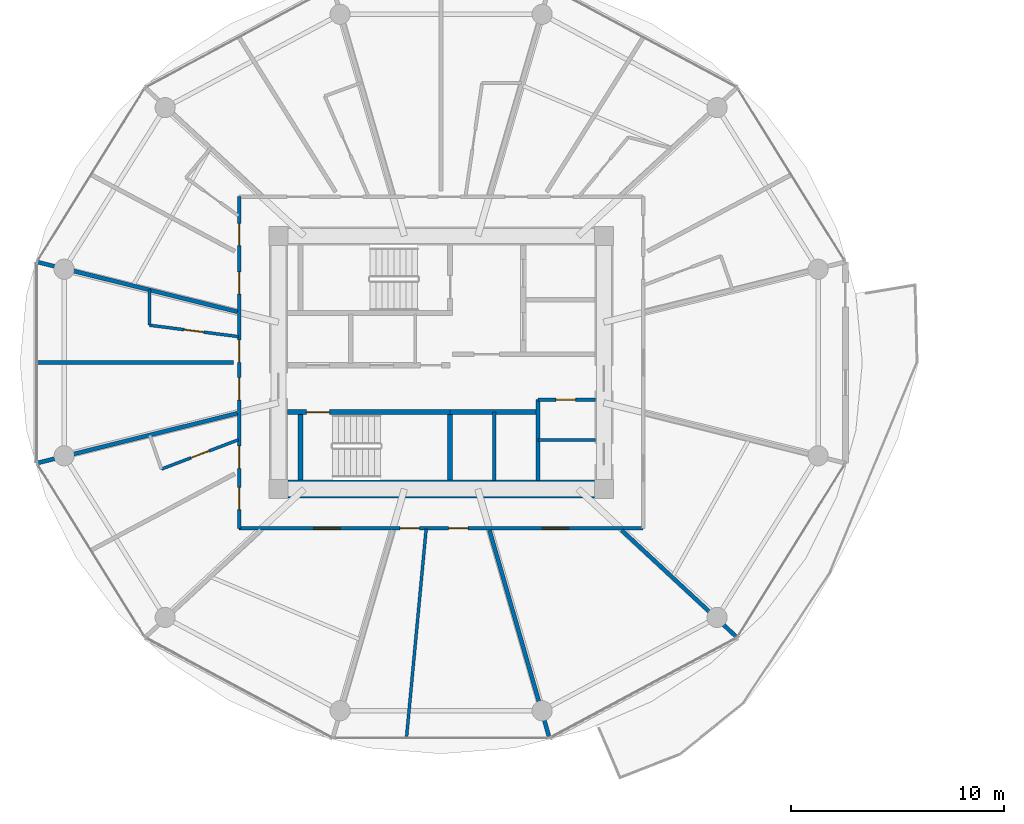
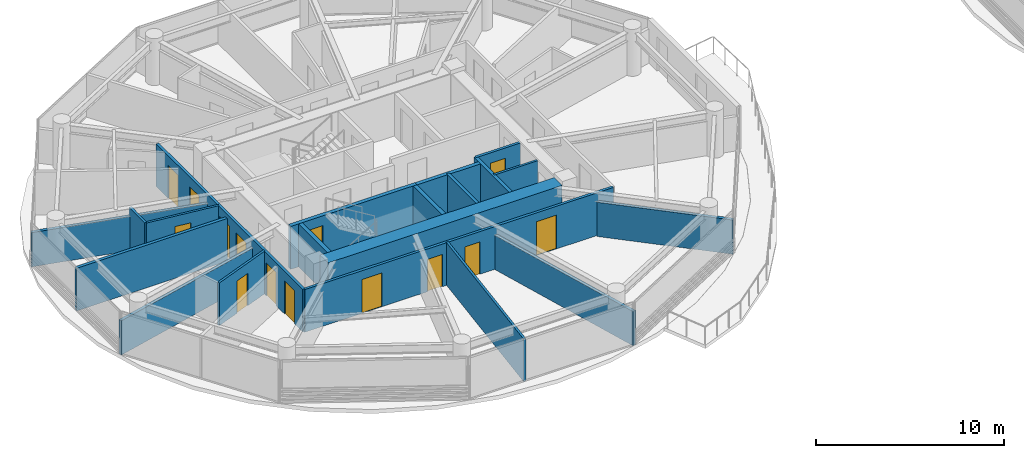
# One storey, part 15 of 27: 20 walls, 14 doors, 14 openings.
"""IFC4 building model written with IfcOpenShell, lengths in metres."""

from ifc_helpers import new_model, si_unit, direction, frame, frame_2d, origin, place, context, subcontext, project, spatial, rectangle, extrude, source, transform, mapped, material, layer, layer_set, type_object, type_shapes, element, fill, save


model = new_model("IFC4")

# Units and contexts
model_context = context("Model", 3, precision=1e-05, world=origin(), true_north=direction((0.0, 1.0)))
body_context = subcontext(model_context, "Body", "Model", "MODEL_VIEW")
ifc_project = project(units=[si_unit("LENGTHUNIT", "METRE"), si_unit("AREAUNIT", "SQUARE_METRE"), si_unit("VOLUMEUNIT", "CUBIC_METRE"), si_unit("PLANEANGLEUNIT", "RADIAN"), si_unit("MASSUNIT", "GRAM", prefix="KILO")], contexts=[model_context])

# Site, building, storey
site_placement = place(None, origin())
site = spatial("IfcSite", under=ifc_project, at=site_placement, CompositionType="ELEMENT")
building_placement = place(site_placement, origin())
building = spatial("IfcBuilding", under=site, at=building_placement, Name="Norrkilde Senior Care Towers", CompositionType="ELEMENT")
storey_placement = place(building_placement, frame((0.0, 0.0, 58.199951171875)))
storey = spatial("IfcBuildingStorey", under=building, at=storey_placement, Name="L17", CompositionType="ELEMENT", Elevation=58.199951171875)

# Wall
ifc_material_1 = material(Name="Concrete C60/75", Category="concrete")
ifc_layer_1 = layer(ifc_material_1, 0.85009765625)
ifc_layer_set_1 = layer_set([ifc_layer_1], Name="Concrete C60/75")
wall_type_1 = type_object("IfcWallType", Name="Core Shear Wall Z1 850", PredefinedType="SHEAR", material=ifc_layer_set_1)
shared_shape_1 = source(origin(), body_context, "Body", "SweptSolid", [
    extrude(rectangle(XDim=14.39990234375, YDim=0.85009765625, at=frame_2d((7.199951171875, 0.0))), origin(), (0.0, 0.0, 1.0), 2.7900390625),
])
type_shapes(wall_type_1, [shared_shape_1])
wall_1_placement = place(storey_placement, frame((-20.800048828125, -5.949951171875, 0.0), z_axis=(0.0, 0.0, 1.0), x_axis=(-1.0, 0.0, 0.0)))
element("IfcWall", 1, at=wall_1_placement, inside=storey, type_object=wall_type_1, Name="L17 Core W South Shear Wall", PredefinedType="SHEAR", context=body_context, shape_type="MappedRepresentation", body=[
    mapped(shared_shape_1, transform((0.0, 0.0, 0.0), x_axis=(1.0, 0.0, 0.0), y_axis=(0.0, 1.0, 0.0), z_axis=(0.0, 0.0, 1.0), scale=1.0)),
])

# Wall, opening, door
ifc_material_2 = material(Name="Concrete C45/55", Category="concrete")
ifc_layer_2 = layer(ifc_material_2, 0.239990234375)
ifc_layer_set_2 = layer_set([ifc_layer_2], Name="Concrete C45/55")
wall_type_2 = type_object("IfcWallType", Name="Shaft and Stair Enclosure Wall 240", PredefinedType="PARTITIONING", material=ifc_layer_set_2)
shared_shape_2 = source(origin(), body_context, "Body", "SweptSolid", [
    extrude(rectangle(XDim=7.76513671875, YDim=0.239990234375, at=frame_2d((3.882568359375, 0.0))), origin(), (0.0, 0.0, 1.0), 2.7900390625),
])
wall_2_placement = place(storey_placement, frame((-35.22509765625, -2.330078125, 0.0), z_axis=(0.0, 0.0, 1.0), x_axis=(1.0, 0.0, 0.0)))
wall_2 = element("IfcWall", 2, at=wall_2_placement, inside=storey, type_object=wall_type_2, Name="WL-INT-L17-W-ST2N", PredefinedType="PARTITIONING", context=body_context, shape_type="MappedRepresentation", body=[
    mapped(shared_shape_2, transform((0.0, 0.0, 0.0), x_axis=(1.0, 0.0, 0.0), y_axis=(0.0, 1.0, 0.0), z_axis=(0.0, 0.0, 1.0), scale=1.0)),
])
opening_1_placement = place(wall_2_placement, frame((0.885009765625, 0.0, 0.0)))
opening_1 = element("IfcOpeningElement", 3, at=opening_1_placement, cuts=wall_2, Name="Opening D-03", PredefinedType="OPENING", context=body_context, shape_type="SweptSolid", body=[
    extrude(rectangle(XDim=1.10009765625, YDim=2.14990234375, at=frame_2d((0.550048828125, 1.074951171875))), frame((0.0, 0.1298828125, 0.0), z_axis=(0.0, -1.0, 0.0), x_axis=(1.0, 0.0, 0.0)), (0.0, 0.0, 1.0), 0.260009765625),
])
ifc_material_3 = material(Name="Galvanised Painted Steel", Category="steel")
door_type_1 = type_object("IfcDoorType", Name="Stairwell Protected Fire Door 1100x2150", OperationType="NOTDEFINED", PredefinedType="DOOR", material=ifc_material_3)
shared_shape_3 = source(origin(), body_context, "Body", "SweptSolid", [
    extrude(rectangle(XDim=1.10009765625, YDim=2.14990234375, at=frame_2d((0.550048828125, 1.074951171875))), frame((0.0, 0.02490234375, 0.0), z_axis=(0.0, -1.0, 0.0), x_axis=(1.0, 0.0, 0.0)), (0.0, 0.0, 1.0), 0.050048828125),
])
type_shapes(door_type_1, [shared_shape_3])
door_1_placement = place(opening_1_placement, frame((1.10009765625, 0.0, 0.0), z_axis=(0.0, 0.0, 1.0), x_axis=(-1.0, 0.0, 0.0)))
door_1 = element("IfcDoor", 4, at=door_1_placement, inside=storey, type_object=door_type_1, Name="L17 Stair W2 Fire Door", OperationType="SINGLE_SWING_RIGHT", OverallHeight=2.14990234375, OverallWidth=1.10009765625, PredefinedType="DOOR", context=body_context, shape_type="MappedRepresentation", body=[
    mapped(shared_shape_3, transform((0.0, 0.0, 0.0), x_axis=(1.0, 0.0, 0.0), y_axis=(0.0, 1.0, 0.0), z_axis=(0.0, 0.0, 1.0), scale=1.0)),
])
fill(opening_1, door_1)

# Walls
shared_shape_4 = source(origin(), body_context, "Body", "SweptSolid", [
    extrude(rectangle(XDim=3.074951171875, YDim=0.239990234375, at=frame_2d((1.53759765625, 0.0))), origin(), (0.0, 0.0, 1.0), 2.7900390625),
])
type_shapes(wall_type_2, [shared_shape_2, shared_shape_4])
for number, where, z_axis, x_axis, name in (
    (5, (-34.6201171875, -5.52490234375, 0.0), (0.0, 0.0, 1.0), (0.0, 1.0, 0.0), "WL-INT-L17-W-ST2W"),
    (6, (-27.580078125, -5.52490234375, 0.0), (0.0, 0.0, 1.0), (0.0, 1.0, 0.0), "WL-INT-L17-W-ST2E"),
):
    element("IfcWall", number, at=place(storey_placement, frame(where, z_axis=z_axis, x_axis=x_axis)), inside=storey, type_object=wall_type_2, Name=name, PredefinedType="PARTITIONING", context=body_context, shape_type="MappedRepresentation", body=[
        mapped(shared_shape_4, transform((0.0, 0.0, 0.0), x_axis=(1.0, 0.0, 0.0), y_axis=(0.0, 1.0, 0.0), z_axis=(0.0, 0.0, 1.0), scale=1.0)),
    ])
ifc_layer_3 = layer(ifc_material_2, 0.199951171875)
ifc_layer_set_3 = layer_set([ifc_layer_3], Name="Concrete C45/55")
wall_type_3 = type_object("IfcWallType", Name="Shaft Division and Plant Partition 200", PredefinedType="PARTITIONING", material=ifc_layer_set_3)
shared_shape_5 = source(origin(), body_context, "Body", "SweptSolid", [
    extrude(rectangle(XDim=3.800048828125, YDim=0.199951171875, at=frame_2d((1.89990234375, 0.0))), origin(), (0.0, 0.0, 1.0), 2.775146484375),
])
type_shapes(wall_type_3, [shared_shape_5])
wall_3_placement = place(storey_placement, frame((-23.449951171875, -5.550048828125, 0.0), z_axis=(0.0, 0.0, 1.0), x_axis=(0.0, 1.0, 0.0)))
element("IfcWall", 7, at=wall_3_placement, inside=storey, type_object=wall_type_3, Name="WL-INT-L17-W-PKBE", PredefinedType="PARTITIONING", context=body_context, shape_type="MappedRepresentation", body=[
    mapped(shared_shape_5, transform((0.0, 0.0, 0.0), x_axis=(1.0, 0.0, 0.0), y_axis=(0.0, 1.0, 0.0), z_axis=(0.0, 0.0, 1.0), scale=1.0)),
])
ifc_layer_4 = layer(ifc_material_2, 0.239990234375)
ifc_layer_set_4 = layer_set([ifc_layer_4], Name="Concrete C45/55")
wall_type_4 = type_object("IfcWallType", Name="Lift and Plant Rated Enclosure Partition 240", PredefinedType="PARTITIONING", material=ifc_layer_set_4)
shared_shape_6 = source(origin(), body_context, "Body", "SweptSolid", [
    extrude(rectangle(XDim=4.130126953125, YDim=0.239990234375, at=frame_2d((2.06494140625, 0.0))), origin(), (0.0, 0.0, 1.0), 2.775146484375),
])
type_shapes(wall_type_4, [shared_shape_6])
wall_4_placement = place(storey_placement, frame((-27.580078125, -2.330078125, 0.0), z_axis=(0.0, 0.0, 1.0), x_axis=(1.0, 0.0, 0.0)))
element("IfcWall", 8, at=wall_4_placement, inside=storey, type_object=wall_type_4, Name="WL-INT-L17-W-PKBN", PredefinedType="PARTITIONING", context=body_context, shape_type="MappedRepresentation", body=[
    mapped(shared_shape_6, transform((0.0, 0.0, 0.0), x_axis=(1.0, 0.0, 0.0), y_axis=(0.0, 1.0, 0.0), z_axis=(0.0, 0.0, 1.0), scale=1.0)),
])
ifc_layer_5 = layer(ifc_material_2, 0.179931640625)
ifc_layer_set_5 = layer_set([ifc_layer_5], Name="Concrete C45/55")
wall_type_5 = type_object("IfcWallType", Name="Hoistway Division Rated Partition 180", PredefinedType="PARTITIONING", material=ifc_layer_set_5)
shared_shape_7 = source(origin(), body_context, "Body", "SweptSolid", [
    extrude(rectangle(XDim=3.219970703125, YDim=0.179931640625, at=frame_2d((1.60986328125, 0.0))), origin(), (0.0, 0.0, 1.0), 2.775146484375),
])
type_shapes(wall_type_5, [shared_shape_7])
wall_5_placement = place(storey_placement, frame((-25.5, -5.550048828125, 0.0), z_axis=(0.0, 0.0, 1.0), x_axis=(0.0, 1.0, 0.0)))
element("IfcWall", 9, at=wall_5_placement, inside=storey, type_object=wall_type_5, Name="WL-INT-L17-W-PL34", PredefinedType="PARTITIONING", context=body_context, shape_type="MappedRepresentation", body=[
    mapped(shared_shape_7, transform((0.0, 0.0, 0.0), x_axis=(1.0, 0.0, 0.0), y_axis=(0.0, 1.0, 0.0), z_axis=(0.0, 0.0, 1.0), scale=1.0)),
])

# Wall, opening, door
ifc_material_4 = material(Name="Gypsum Acoustic Board")
ifc_layer_6 = layer(ifc_material_4, 0.1650390625)
ifc_layer_set_6 = layer_set([ifc_layer_6], Name="Gypsum Acoustic Board")
wall_type_6 = type_object("IfcWallType", Name="Corridor Rated Partition 165", PredefinedType="PARTITIONING", material=ifc_layer_set_6)
shared_shape_8 = source(origin(), body_context, "Body", "SweptSolid", [
    extrude(rectangle(XDim=2.699951171875, YDim=0.1650390625, at=frame_2d((1.35009765625, 0.0))), origin(), (0.0, 0.0, 1.0), 2.775146484375),
])
wall_6_placement = place(storey_placement, frame((-23.449951171875, -1.75, 0.0), z_axis=(0.0, 0.0, 1.0), x_axis=(1.0, 0.0, 0.0)))
wall_6 = element("IfcWall", 10, at=wall_6_placement, inside=storey, type_object=wall_type_6, Name="WL-INT-L17-W-CSN", PredefinedType="PARTITIONING", context=body_context, shape_type="MappedRepresentation", body=[
    mapped(shared_shape_8, transform((0.0, 0.0, 0.0), x_axis=(1.0, 0.0, 0.0), y_axis=(0.0, 1.0, 0.0), z_axis=(0.0, 0.0, 1.0), scale=1.0)),
])
opening_2_placement = place(wall_6_placement, frame((0.85009765625, 0.0, 0.0)))
opening_2 = element("IfcOpeningElement", 11, at=opening_2_placement, cuts=wall_6, Name="Opening D-12", PredefinedType="OPENING", context=body_context, shape_type="SweptSolid", body=[
    extrude(rectangle(XDim=0.925048828125, YDim=2.10009765625, at=frame_2d((0.46240234375, 1.050048828125))), frame((0.0, 0.092529296875, 0.0), z_axis=(0.0, -1.0, 0.0), x_axis=(1.0, 0.0, 0.0)), (0.0, 0.0, 1.0), 0.18505859375),
])
door_type_2 = type_object("IfcDoorType", Name="Core Wet Room Rated Door 925x2100", OperationType="NOTDEFINED", PredefinedType="DOOR", material=ifc_material_3)
shared_shape_9 = source(origin(), body_context, "Body", "SweptSolid", [
    extrude(rectangle(XDim=0.925048828125, YDim=2.10009765625, at=frame_2d((0.46240234375, 1.050048828125))), frame((0.0, 0.02490234375, 0.0), z_axis=(0.0, -1.0, 0.0), x_axis=(1.0, 0.0, 0.0)), (0.0, 0.0, 1.0), 0.050048828125),
])
type_shapes(door_type_2, [shared_shape_9])
door_2_placement = place(opening_2_placement, origin())
door_2 = element("IfcDoor", 12, at=door_2_placement, inside=storey, type_object=door_type_2, Name="L17 Staff WC W Door", OperationType="SINGLE_SWING_LEFT", OverallHeight=2.10009765625, OverallWidth=0.925048828125, PredefinedType="DOOR", context=body_context, shape_type="MappedRepresentation", body=[
    mapped(shared_shape_9, transform((0.0, 0.0, 0.0), x_axis=(1.0, 0.0, 0.0), y_axis=(0.0, 1.0, 0.0), z_axis=(0.0, 0.0, 1.0), scale=1.0)),
])
fill(opening_2, door_2)

# Wall, openings, doors
shared_shape_10 = source(origin(), body_context, "Body", "SweptSolid", [
    extrude(rectangle(XDim=19.0, YDim=0.1650390625, at=frame_2d((9.5, 0.0))), origin(), (0.0, 0.0, 1.0), 2.775146484375),
])
wall_7_placement = place(storey_placement, frame((-18.5, -7.800048828125, 0.0), z_axis=(0.0, 0.0, 1.0), x_axis=(-1.0, 0.0, 0.0)))
wall_7 = element("IfcWall", 13, at=wall_7_placement, inside=storey, type_object=wall_type_6, Name="WL-INT-L17-W-CRW-S-0", PredefinedType="PARTITIONING", context=body_context, shape_type="MappedRepresentation", body=[
    mapped(shared_shape_10, transform((0.0, 0.0, 0.0), x_axis=(1.0, 0.0, 0.0), y_axis=(0.0, 1.0, 0.0), z_axis=(0.0, 0.0, 1.0), scale=1.0)),
])
opening_3_placement = place(wall_7_placement, frame((14.244384765625, 0.0, 0.0)))
opening_3 = element("IfcOpeningElement", 14, at=opening_3_placement, cuts=wall_7, Name="Opening D-05", PredefinedType="OPENING", context=body_context, shape_type="SweptSolid", body=[
    extrude(rectangle(XDim=1.25, YDim=2.199951171875, at=frame_2d((0.625, 1.10009765625))), frame((0.0, 0.092529296875, 0.0), z_axis=(0.0, -1.0, 0.0), x_axis=(1.0, 0.0, 0.0)), (0.0, 0.0, 1.0), 0.18505859375),
])
opening_4_placement = place(wall_7_placement, frame((10.523193359375, 0.0, 0.0)))
opening_4 = element("IfcOpeningElement", 15, at=opening_4_placement, cuts=wall_7, Name="Opening D-08", PredefinedType="OPENING", context=body_context, shape_type="SweptSolid", body=[
    extrude(rectangle(XDim=0.919921875, YDim=2.10009765625, at=frame_2d((0.4599609375, 1.050048828125))), frame((0.0, 0.092529296875, 0.0), z_axis=(0.0, -1.0, 0.0), x_axis=(1.0, 0.0, 0.0)), (0.0, 0.0, 1.0), 0.18505859375),
])
opening_5_placement = place(wall_7_placement, frame((8.2255859375, 0.0, 0.0)))
opening_5 = element("IfcOpeningElement", 16, at=opening_5_placement, cuts=wall_7, Name="Opening D-08", PredefinedType="OPENING", context=body_context, shape_type="SweptSolid", body=[
    extrude(rectangle(XDim=0.919921875, YDim=2.10009765625, at=frame_2d((0.4599609375, 1.050048828125))), frame((0.0, 0.092529296875, 0.0), z_axis=(0.0, -1.0, 0.0), x_axis=(1.0, 0.0, 0.0)), (0.0, 0.0, 1.0), 0.18505859375),
])
opening_6_placement = place(wall_7_placement, frame((3.505615234375, 0.0, 0.0)))
opening_6 = element("IfcOpeningElement", 17, at=opening_6_placement, cuts=wall_7, Name="Opening D-05", PredefinedType="OPENING", context=body_context, shape_type="SweptSolid", body=[
    extrude(rectangle(XDim=1.25, YDim=2.199951171875, at=frame_2d((0.625, 1.10009765625))), frame((0.0, 0.092529296875, 0.0), z_axis=(0.0, -1.0, 0.0), x_axis=(1.0, 0.0, 0.0)), (0.0, 0.0, 1.0), 0.18505859375),
])
ifc_material_5 = material(Name="Nordic Ash Timber", Category="wood")
door_type_3 = type_object("IfcDoorType", Name="Care Bedroom Bariatric Door 1250x2200", OperationType="NOTDEFINED", PredefinedType="DOOR", material=ifc_material_5)
shared_shape_11 = source(origin(), body_context, "Body", "SweptSolid", [
    extrude(rectangle(XDim=1.25, YDim=2.199951171875, at=frame_2d((0.625, 1.10009765625))), frame((0.0, 0.02490234375, 0.0), z_axis=(0.0, -1.0, 0.0), x_axis=(1.0, 0.0, 0.0)), (0.0, 0.0, 1.0), 0.050048828125),
])
type_shapes(door_type_3, [shared_shape_11])
door_3_placement = place(opening_3_placement, frame((1.25, 0.0, 0.0), z_axis=(0.0, 0.0, 1.0), x_axis=(-1.0, 0.0, 0.0)))
door_3 = element("IfcDoor", 18, at=door_3_placement, inside=storey, type_object=door_type_3, Name="L17 Geriatric Rehabilitation Clinic Door", OperationType="SINGLE_SWING_RIGHT", OverallHeight=2.199951171875, OverallWidth=1.25, PredefinedType="DOOR", context=body_context, shape_type="MappedRepresentation", body=[
    mapped(shared_shape_11, transform((0.0, 0.0, 0.0), x_axis=(1.0, 0.0, 0.0), y_axis=(0.0, 1.0, 0.0), z_axis=(0.0, 0.0, 1.0), scale=1.0)),
])
fill(opening_3, door_3)
door_4_placement = place(opening_6_placement, frame((1.25, 0.0, 0.0), z_axis=(0.0, 0.0, 1.0), x_axis=(-1.0, 0.0, 0.0)))
door_4 = element("IfcDoor", 19, at=door_4_placement, inside=storey, type_object=door_type_3, Name="L17 Resident Therapeutic Day Lounge Door", OperationType="SINGLE_SWING_RIGHT", OverallHeight=2.199951171875, OverallWidth=1.25, PredefinedType="DOOR", context=body_context, shape_type="MappedRepresentation", body=[
    mapped(shared_shape_11, transform((0.0, 0.0, 0.0), x_axis=(1.0, 0.0, 0.0), y_axis=(0.0, 1.0, 0.0), z_axis=(0.0, 0.0, 1.0), scale=1.0)),
])
fill(opening_6, door_4)
door_type_4 = type_object("IfcDoorType", Name="Accessible Wet Room Door 920x2100", OperationType="NOTDEFINED", PredefinedType="DOOR", material=ifc_material_5)
shared_shape_12 = source(origin(), body_context, "Body", "SweptSolid", [
    extrude(rectangle(XDim=0.919921875, YDim=2.10009765625, at=frame_2d((0.4599609375, 1.050048828125))), frame((0.0, 0.02490234375, 0.0), z_axis=(0.0, -1.0, 0.0), x_axis=(1.0, 0.0, 0.0)), (0.0, 0.0, 1.0), 0.050048828125),
])
type_shapes(door_type_4, [shared_shape_12])
door_5_placement = place(opening_4_placement, frame((0.919921875, 0.0, 0.0), z_axis=(0.0, 0.0, 1.0), x_axis=(-1.0, 0.0, 0.0)))
door_5 = element("IfcDoor", 20, at=door_5_placement, inside=storey, type_object=door_type_4, Name="L17 Accessible Restroom Door", OperationType="SINGLE_SWING_LEFT", OverallHeight=2.10009765625, OverallWidth=0.919921875, PredefinedType="DOOR", context=body_context, shape_type="MappedRepresentation", body=[
    mapped(shared_shape_12, transform((0.0, 0.0, 0.0), x_axis=(1.0, 0.0, 0.0), y_axis=(0.0, 1.0, 0.0), z_axis=(0.0, 0.0, 1.0), scale=1.0)),
])
fill(opening_4, door_5)
door_6_placement = place(opening_5_placement, frame((0.919921875, 0.0, 0.0), z_axis=(0.0, 0.0, 1.0), x_axis=(-1.0, 0.0, 0.0)))
door_6 = element("IfcDoor", 21, at=door_6_placement, inside=storey, type_object=door_type_4, Name="L17 Public Restroom Door", OperationType="SINGLE_SWING_RIGHT", OverallHeight=2.10009765625, OverallWidth=0.919921875, PredefinedType="DOOR", context=body_context, shape_type="MappedRepresentation", body=[
    mapped(shared_shape_12, transform((0.0, 0.0, 0.0), x_axis=(1.0, 0.0, 0.0), y_axis=(0.0, 1.0, 0.0), z_axis=(0.0, 0.0, 1.0), scale=1.0)),
])
fill(opening_5, door_6)

shared_shape_13 = source(origin(), body_context, "Body", "SweptSolid", [
    extrude(rectangle(XDim=15.60009765625, YDim=0.1650390625, at=frame_2d((7.800048828125, 0.0))), origin(), (0.0, 0.0, 1.0), 2.775146484375),
])
type_shapes(wall_type_6, [shared_shape_8, shared_shape_10, shared_shape_13])
wall_8_placement = place(storey_placement, frame((-37.5, -7.800048828125, 0.0), z_axis=(0.0, 0.0, 1.0), x_axis=(0.0, 1.0, 0.0)))
wall_8 = element("IfcWall", 22, at=wall_8_placement, inside=storey, type_object=wall_type_6, Name="WL-INT-L17-W-CRW-W-0", PredefinedType="PARTITIONING", context=body_context, shape_type="MappedRepresentation", body=[
    mapped(shared_shape_13, transform((0.0, 0.0, 0.0), x_axis=(1.0, 0.0, 0.0), y_axis=(0.0, 1.0, 0.0), z_axis=(0.0, 0.0, 1.0), scale=1.0)),
])
opening_7_placement = place(wall_8_placement, frame((7.811767578125, 0.0, 0.0)))
opening_7 = element("IfcOpeningElement", 23, at=opening_7_placement, cuts=wall_8, Name="Opening D-06", PredefinedType="OPENING", context=body_context, shape_type="SweptSolid", body=[
    extrude(rectangle(XDim=1.050048828125, YDim=2.14990234375, at=frame_2d((0.52490234375, 1.074951171875))), frame((0.0, 0.092529296875, 0.0), z_axis=(0.0, -1.0, 0.0), x_axis=(1.0, 0.0, 0.0)), (0.0, 0.0, 1.0), 0.18505859375),
])
opening_8_placement = place(wall_8_placement, frame((6.03466796875, 0.0, 0.0)))
opening_8 = element("IfcOpeningElement", 24, at=opening_8_placement, cuts=wall_8, Name="Opening D-06", PredefinedType="OPENING", context=body_context, shape_type="SweptSolid", body=[
    extrude(rectangle(XDim=1.050048828125, YDim=2.14990234375, at=frame_2d((0.52490234375, 1.074951171875))), frame((0.0, 0.092529296875, 0.0), z_axis=(0.0, -1.0, 0.0), x_axis=(1.0, 0.0, 0.0)), (0.0, 0.0, 1.0), 0.18505859375),
])
opening_9_placement = place(wall_8_placement, frame((2.826416015625, 0.0, 0.0)))
opening_9 = element("IfcOpeningElement", 25, at=opening_9_placement, cuts=wall_8, Name="Opening D-06", PredefinedType="OPENING", context=body_context, shape_type="SweptSolid", body=[
    extrude(rectangle(XDim=1.050048828125, YDim=2.14990234375, at=frame_2d((0.52490234375, 1.074951171875))), frame((0.0, 0.092529296875, 0.0), z_axis=(0.0, -1.0, 0.0), x_axis=(1.0, 0.0, 0.0)), (0.0, 0.0, 1.0), 0.18505859375),
])
opening_10_placement = place(wall_8_placement, frame((0.88134765625, 0.0, 0.0)))
opening_10 = element("IfcOpeningElement", 26, at=opening_10_placement, cuts=wall_8, Name="Opening D-06", PredefinedType="OPENING", context=body_context, shape_type="SweptSolid", body=[
    extrude(rectangle(XDim=1.050048828125, YDim=2.14990234375, at=frame_2d((0.52490234375, 1.074951171875))), frame((0.0, 0.092529296875, 0.0), z_axis=(0.0, -1.0, 0.0), x_axis=(1.0, 0.0, 0.0)), (0.0, 0.0, 1.0), 0.18505859375),
])
opening_11_placement = place(wall_8_placement, frame((13.293212890625, 0.0, 0.0)))
opening_11 = element("IfcOpeningElement", 27, at=opening_11_placement, cuts=wall_8, Name="Opening D-06", PredefinedType="OPENING", context=body_context, shape_type="SweptSolid", body=[
    extrude(rectangle(XDim=1.050048828125, YDim=2.14990234375, at=frame_2d((0.52490234375, 1.074951171875))), frame((0.0, 0.092529296875, 0.0), z_axis=(0.0, -1.0, 0.0), x_axis=(1.0, 0.0, 0.0)), (0.0, 0.0, 1.0), 0.18505859375),
])
opening_12_placement = place(wall_8_placement, frame((11.017822265625, 0.0, 0.0)))
opening_12 = element("IfcOpeningElement", 28, at=opening_12_placement, cuts=wall_8, Name="Opening D-06", PredefinedType="OPENING", context=body_context, shape_type="SweptSolid", body=[
    extrude(rectangle(XDim=1.050048828125, YDim=2.14990234375, at=frame_2d((0.52490234375, 1.074951171875))), frame((0.0, 0.092529296875, 0.0), z_axis=(0.0, -1.0, 0.0), x_axis=(1.0, 0.0, 0.0)), (0.0, 0.0, 1.0), 0.18505859375),
])
door_type_5 = type_object("IfcDoorType", Name="Apartment Entrance Fire Door 1050x2150", OperationType="NOTDEFINED", PredefinedType="DOOR", material=ifc_material_5)
shared_shape_14 = source(origin(), body_context, "Body", "SweptSolid", [
    extrude(rectangle(XDim=1.050048828125, YDim=2.14990234375, at=frame_2d((0.52490234375, 1.074951171875))), frame((0.0, 0.02490234375, 0.0), z_axis=(0.0, -1.0, 0.0), x_axis=(1.0, 0.0, 0.0)), (0.0, 0.0, 1.0), 0.050048828125),
])
type_shapes(door_type_5, [shared_shape_14])
door_7_placement = place(opening_7_placement, frame((1.050048828125, 0.0, 0.0), z_axis=(0.0, 0.0, 1.0), x_axis=(-1.0, 0.0, 0.0)))
door_7 = element("IfcDoor", 29, at=door_7_placement, inside=storey, type_object=door_type_5, Name="L17 Care Suite 1705A Entrance Door", OperationType="SINGLE_SWING_LEFT", OverallHeight=2.14990234375, OverallWidth=1.050048828125, PredefinedType="DOOR", context=body_context, shape_type="MappedRepresentation", body=[
    mapped(shared_shape_14, transform((0.0, 0.0, 0.0), x_axis=(1.0, 0.0, 0.0), y_axis=(0.0, 1.0, 0.0), z_axis=(0.0, 0.0, 1.0), scale=1.0)),
])
fill(opening_7, door_7)
door_8_placement = place(opening_8_placement, frame((1.050048828125, 0.0, 0.0), z_axis=(0.0, 0.0, 1.0), x_axis=(-1.0, 0.0, 0.0)))
door_8 = element("IfcDoor", 30, at=door_8_placement, inside=storey, type_object=door_type_5, Name="L17 Therapy Day Lounge 05 Door", OperationType="SINGLE_SWING_LEFT", OverallHeight=2.14990234375, OverallWidth=1.050048828125, PredefinedType="DOOR", context=body_context, shape_type="MappedRepresentation", body=[
    mapped(shared_shape_14, transform((0.0, 0.0, 0.0), x_axis=(1.0, 0.0, 0.0), y_axis=(0.0, 1.0, 0.0), z_axis=(0.0, 0.0, 1.0), scale=1.0)),
])
fill(opening_8, door_8)
door_9_placement = place(opening_9_placement, frame((1.050048828125, 0.0, 0.0), z_axis=(0.0, 0.0, 1.0), x_axis=(-1.0, 0.0, 0.0)))
door_9 = element("IfcDoor", 31, at=door_9_placement, inside=storey, type_object=door_type_5, Name="L17 Care Suite 1706A Entrance Door", OperationType="SINGLE_SWING_RIGHT", OverallHeight=2.14990234375, OverallWidth=1.050048828125, PredefinedType="DOOR", context=body_context, shape_type="MappedRepresentation", body=[
    mapped(shared_shape_14, transform((0.0, 0.0, 0.0), x_axis=(1.0, 0.0, 0.0), y_axis=(0.0, 1.0, 0.0), z_axis=(0.0, 0.0, 1.0), scale=1.0)),
])
fill(opening_9, door_9)
door_10_placement = place(opening_10_placement, frame((1.050048828125, 0.0, 0.0), z_axis=(0.0, 0.0, 1.0), x_axis=(-1.0, 0.0, 0.0)))
door_10 = element("IfcDoor", 32, at=door_10_placement, inside=storey, type_object=door_type_5, Name="L17 Therapy Day Lounge 06 Door", OperationType="SINGLE_SWING_RIGHT", OverallHeight=2.14990234375, OverallWidth=1.050048828125, PredefinedType="DOOR", context=body_context, shape_type="MappedRepresentation", body=[
    mapped(shared_shape_14, transform((0.0, 0.0, 0.0), x_axis=(1.0, 0.0, 0.0), y_axis=(0.0, 1.0, 0.0), z_axis=(0.0, 0.0, 1.0), scale=1.0)),
])
fill(opening_10, door_10)
door_11_placement = place(opening_11_placement, frame((1.050048828125, 0.0, 0.0), z_axis=(0.0, 0.0, 1.0), x_axis=(-1.0, 0.0, 0.0)))
door_11 = element("IfcDoor", 33, at=door_11_placement, inside=storey, type_object=door_type_5, Name="L17 Care Suite 1704A Entrance Door", OperationType="SINGLE_SWING_RIGHT", OverallHeight=2.14990234375, OverallWidth=1.050048828125, PredefinedType="DOOR", context=body_context, shape_type="MappedRepresentation", body=[
    mapped(shared_shape_14, transform((0.0, 0.0, 0.0), x_axis=(1.0, 0.0, 0.0), y_axis=(0.0, 1.0, 0.0), z_axis=(0.0, 0.0, 1.0), scale=1.0)),
])
fill(opening_11, door_11)
door_12_placement = place(opening_12_placement, frame((1.050048828125, 0.0, 0.0), z_axis=(0.0, 0.0, 1.0), x_axis=(-1.0, 0.0, 0.0)))
door_12 = element("IfcDoor", 34, at=door_12_placement, inside=storey, type_object=door_type_5, Name="L17 Therapy Day Lounge 04 Door", OperationType="SINGLE_SWING_RIGHT", OverallHeight=2.14990234375, OverallWidth=1.050048828125, PredefinedType="DOOR", context=body_context, shape_type="MappedRepresentation", body=[
    mapped(shared_shape_14, transform((0.0, 0.0, 0.0), x_axis=(1.0, 0.0, 0.0), y_axis=(0.0, 1.0, 0.0), z_axis=(0.0, 0.0, 1.0), scale=1.0)),
])
fill(opening_12, door_12)

# Walls
ifc_layer_7 = layer(ifc_material_4, 0.18994140625)
ifc_layer_set_7 = layer_set([ifc_layer_7], Name="Gypsum Acoustic Board")
wall_type_7 = type_object("IfcWallType", Name="Unit Demising Acoustic Wall 190", PredefinedType="PARTITIONING", material=ifc_layer_set_7)
shared_shape_15 = source(origin(), body_context, "Body", "SweptSolid", [
    extrude(rectangle(XDim=7.4345703125, YDim=0.18994140625, at=frame_2d((3.71728515625, 0.0))), origin(), (0.0, 0.0, 1.0), 2.22509765625),
])
wall_9_placement = place(storey_placement, frame((-19.51708984375, -7.8798828125, 0.0), z_axis=(0.0, 0.0, 1.0), x_axis=(0.732651956848, -0.680603489652, 0.0)))
element("IfcWall", 35, at=wall_9_placement, inside=storey, type_object=wall_type_7, Name="WL-INT-L17-W-DEM-10-0", PredefinedType="PARTITIONING", context=body_context, shape_type="MappedRepresentation", body=[
    mapped(shared_shape_15, transform((0.0, 0.0, 0.0), x_axis=(1.0, 0.0, 0.0), y_axis=(0.0, 1.0, 0.0), z_axis=(0.0, 0.0, 1.0), scale=1.0)),
])
shared_shape_16 = source(origin(), body_context, "Body", "SweptSolid", [
    extrude(rectangle(XDim=10.196044921875, YDim=0.18994140625, at=frame_2d((5.09814453125, 0.0))), origin(), (0.0, 0.0, 1.0), 2.22509765625),
])
wall_10_placement = place(storey_placement, frame((-25.72705078125, -7.8798828125, 0.0), z_axis=(0.0, 0.0, 1.0), x_axis=(0.277136420347, -0.960830580549, 0.0)))
element("IfcWall", 36, at=wall_10_placement, inside=storey, type_object=wall_type_7, Name="WL-INT-L17-W-DEM-09-0", PredefinedType="PARTITIONING", context=body_context, shape_type="MappedRepresentation", body=[
    mapped(shared_shape_16, transform((0.0, 0.0, 0.0), x_axis=(1.0, 0.0, 0.0), y_axis=(0.0, 1.0, 0.0), z_axis=(0.0, 0.0, 1.0), scale=1.0)),
])
shared_shape_17 = source(origin(), body_context, "Body", "SweptSolid", [
    extrude(rectangle(XDim=9.737060546875, YDim=0.18994140625, at=frame_2d((4.86865234375, 0.0))), origin(), (0.0, 0.0, 1.0), 2.22509765625),
])
for number, where, z_axis, x_axis, name in (
    (37, (-37.580078125, 2.384521484375, 0.0), (0.0, 0.0, 1.0), (-0.970392716238, 0.241532557375, 0.0), "WL-INT-L17-W-DEM-05-0"),
    (38, (-37.580078125, -2.384521484375, 0.0), (0.0, 0.0, 1.0), (-0.970392716238, -0.241532557375, 0.0), "WL-INT-L17-W-DEM-06-0"),
):
    element("IfcWall", number, at=place(storey_placement, frame(where, z_axis=z_axis, x_axis=x_axis)), inside=storey, type_object=wall_type_7, Name=name, PredefinedType="PARTITIONING", context=body_context, shape_type="MappedRepresentation", body=[
        mapped(shared_shape_17, transform((0.0, 0.0, 0.0), x_axis=(1.0, 0.0, 0.0), y_axis=(0.0, 1.0, 0.0), z_axis=(0.0, 0.0, 1.0), scale=1.0)),
    ])

# Wall, opening, door
ifc_layer_8 = layer(ifc_material_4, 0.139892578125)
ifc_layer_set_8 = layer_set([ifc_layer_8], Name="Gypsum Acoustic Board")
wall_type_8 = type_object("IfcWallType", Name="En-suite Wet Room Wall 140", PredefinedType="PARTITIONING", material=ifc_layer_set_8)
shared_shape_18 = source(origin(), body_context, "Body", "SweptSolid", [
    extrude(rectangle(XDim=3.8740234375, YDim=0.139892578125, at=frame_2d((1.93701171875, 0.0))), origin(), (0.0, 0.0, 1.0), 2.775146484375),
])
wall_11_placement = place(storey_placement, frame((-37.530029296875, -3.631591796875, 0.0), z_axis=(0.0, 0.0, 1.0), x_axis=(-0.934461775659, -0.35606346321, 0.0)))
wall_11 = element("IfcWall", 39, at=wall_11_placement, inside=storey, type_object=wall_type_8, Name="WL-INT-L17-W-ES-06A", PredefinedType="PARTITIONING", context=body_context, shape_type="MappedRepresentation", body=[
    mapped(shared_shape_18, transform((0.0, 0.0, 0.0), x_axis=(1.0, 0.0, 0.0), y_axis=(0.0, 1.0, 0.0), z_axis=(0.0, 0.0, 1.0), scale=1.0)),
])
opening_13_placement = place(wall_11_placement, frame((1.47705078125, 0.0, 0.0)))
opening_13 = element("IfcOpeningElement", 40, at=opening_13_placement, cuts=wall_11, Name="Opening D-08", PredefinedType="OPENING", context=body_context, shape_type="SweptSolid", body=[
    extrude(rectangle(XDim=0.919921875, YDim=2.10009765625, at=frame_2d((0.4599609375, 1.050048828125))), frame((0.0, 0.079833984375, 0.0), z_axis=(0.0, -1.0, 0.0), x_axis=(1.0, 0.0, 0.0)), (0.0, 0.0, 1.0), 0.159912109375),
])
door_13_placement = place(opening_13_placement, origin())
door_13 = element("IfcDoor", 41, at=door_13_placement, inside=storey, type_object=door_type_4, Name="L17 Care Suite 1706A Bathroom Door", OperationType="SINGLE_SWING_LEFT", OverallHeight=2.10009765625, OverallWidth=0.919921875, PredefinedType="DOOR", context=body_context, shape_type="MappedRepresentation", body=[
    mapped(shared_shape_12, transform((0.0, 0.0, 0.0), x_axis=(1.0, 0.0, 0.0), y_axis=(0.0, 1.0, 0.0), z_axis=(0.0, 0.0, 1.0), scale=1.0)),
])
fill(opening_13, door_13)

# Walls
shared_shape_19 = source(origin(), body_context, "Body", "SweptSolid", [
    extrude(rectangle(XDim=2.699951171875, YDim=0.139892578125, at=frame_2d((1.35009765625, 0.0))), origin(), (0.0, 0.0, 1.0), 2.775146484375),
])
wall_12_placement = place(storey_placement, frame((-23.449951171875, -3.64990234375, 0.0), z_axis=(0.0, 0.0, 1.0), x_axis=(1.0, 0.0, 0.0)))
element("IfcWall", 42, at=wall_12_placement, inside=storey, type_object=wall_type_8, Name="WL-INT-L17-W-CS2H", PredefinedType="PARTITIONING", context=body_context, shape_type="MappedRepresentation", body=[
    mapped(shared_shape_19, transform((0.0, 0.0, 0.0), x_axis=(1.0, 0.0, 0.0), y_axis=(0.0, 1.0, 0.0), z_axis=(0.0, 0.0, 1.0), scale=1.0)),
])
shared_shape_20 = source(origin(), body_context, "Body", "SweptSolid", [
    extrude(rectangle(XDim=9.261474609375, YDim=0.18994140625, at=frame_2d((4.630859375, 0.0))), origin(), (0.0, 0.0, 1.0), 2.775146484375),
])
type_shapes(wall_type_7, [shared_shape_15, shared_shape_16, shared_shape_17, shared_shape_20])
wall_13_placement = place(storey_placement, frame((-37.767333984375, 0.0, 0.0), z_axis=(0.0, 0.0, 1.0), x_axis=(-1.0, 0.0, 0.0)))
element("IfcWall", 43, at=wall_13_placement, inside=storey, type_object=wall_type_7, Name="WL-INT-L17-W-CMID-05", PredefinedType="PARTITIONING", context=body_context, shape_type="MappedRepresentation", body=[
    mapped(shared_shape_20, transform((0.0, 0.0, 0.0), x_axis=(1.0, 0.0, 0.0), y_axis=(0.0, 1.0, 0.0), z_axis=(0.0, 0.0, 1.0), scale=1.0)),
])

# Wall, opening, door
shared_shape_21 = source(origin(), body_context, "Body", "SweptSolid", [
    extrude(rectangle(XDim=4.2099609375, YDim=0.139892578125, at=frame_2d((2.10498046875, 0.0))), origin(), (0.0, 0.0, 1.0), 2.775146484375),
])
wall_14_placement = place(storey_placement, frame((-37.530029296875, 1.218994140625, 0.0), z_axis=(0.0, 0.0, 1.0), x_axis=(-0.991917821325, 0.126881975625, 0.0)))
wall_14 = element("IfcWall", 44, at=wall_14_placement, inside=storey, type_object=wall_type_8, Name="WL-INT-L17-W-ES-05A", PredefinedType="PARTITIONING", context=body_context, shape_type="MappedRepresentation", body=[
    mapped(shared_shape_21, transform((0.0, 0.0, 0.0), x_axis=(1.0, 0.0, 0.0), y_axis=(0.0, 1.0, 0.0), z_axis=(0.0, 0.0, 1.0), scale=1.0)),
])
opening_14_placement = place(wall_14_placement, frame((1.64501953125, 0.0, 0.0)))
opening_14 = element("IfcOpeningElement", 45, at=opening_14_placement, cuts=wall_14, Name="Opening D-08", PredefinedType="OPENING", context=body_context, shape_type="SweptSolid", body=[
    extrude(rectangle(XDim=0.919921875, YDim=2.10009765625, at=frame_2d((0.4599609375, 1.050048828125))), frame((0.0, 0.079833984375, 0.0), z_axis=(0.0, -1.0, 0.0), x_axis=(1.0, 0.0, 0.0)), (0.0, 0.0, 1.0), 0.159912109375),
])
door_14_placement = place(opening_14_placement, origin())
door_14 = element("IfcDoor", 46, at=door_14_placement, inside=storey, type_object=door_type_4, Name="L17 Care Suite 1705A Bathroom Door", OperationType="SINGLE_SWING_RIGHT", OverallHeight=2.10009765625, OverallWidth=0.919921875, PredefinedType="DOOR", context=body_context, shape_type="MappedRepresentation", body=[
    mapped(shared_shape_12, transform((0.0, 0.0, 0.0), x_axis=(1.0, 0.0, 0.0), y_axis=(0.0, 1.0, 0.0), z_axis=(0.0, 0.0, 1.0), scale=1.0)),
])
fill(opening_14, door_14)

# Walls
shared_shape_22 = source(origin(), body_context, "Body", "SweptSolid", [
    extrude(rectangle(XDim=1.674560546875, YDim=0.139892578125, at=frame_2d((0.83740234375, 0.0))), origin(), (0.0, 0.0, 1.0), 2.775146484375),
])
wall_15_placement = place(storey_placement, frame((-41.7060546875, 1.753173828125, 0.0), z_axis=(0.0, 0.0, 1.0), x_axis=(0.003644821977, 0.999993357614, 0.0)))
element("IfcWall", 47, at=wall_15_placement, inside=storey, type_object=wall_type_8, Name="WL-INT-L17-W-EF-05A", PredefinedType="PARTITIONING", context=body_context, shape_type="MappedRepresentation", body=[
    mapped(shared_shape_22, transform((0.0, 0.0, 0.0), x_axis=(1.0, 0.0, 0.0), y_axis=(0.0, 1.0, 0.0), z_axis=(0.0, 0.0, 1.0), scale=1.0)),
])
shared_shape_23 = source(origin(), body_context, "Body", "SweptSolid", [
    extrude(rectangle(XDim=9.89013671875, YDim=0.139892578125, at=frame_2d((4.945068359375, 0.0))), origin(), (0.0, 0.0, 1.0), 2.775146484375),
])
type_shapes(wall_type_8, [shared_shape_18, shared_shape_19, shared_shape_21, shared_shape_22, shared_shape_23])
wall_16_placement = place(storey_placement, frame((-28.7041015625, -7.830078125, 0.0), z_axis=(0.0, 0.0, 1.0), x_axis=(-0.093780403478, -0.995592906726, 0.0)))
element("IfcWall", 48, at=wall_16_placement, inside=storey, type_object=wall_type_8, Name="WL-INT-L17-W-MID-08", PredefinedType="PARTITIONING", context=body_context, shape_type="MappedRepresentation", body=[
    mapped(shared_shape_23, transform((0.0, 0.0, 0.0), x_axis=(1.0, 0.0, 0.0), y_axis=(0.0, 1.0, 0.0), z_axis=(0.0, 0.0, 1.0), scale=1.0)),
])

save(model, "model.ifc")
